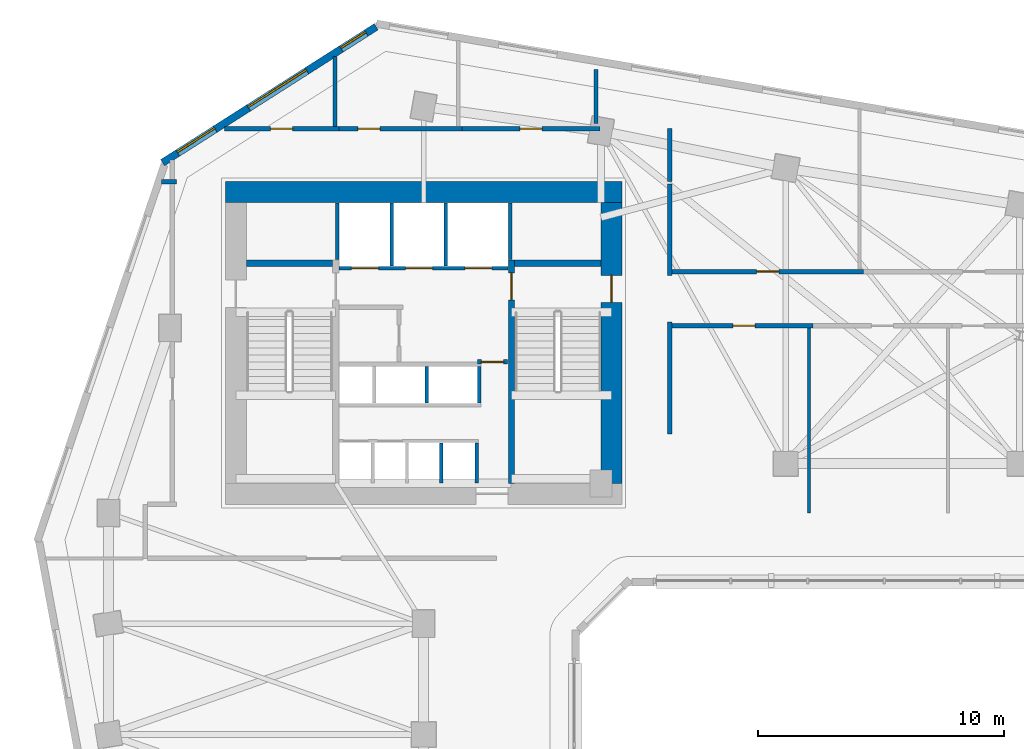
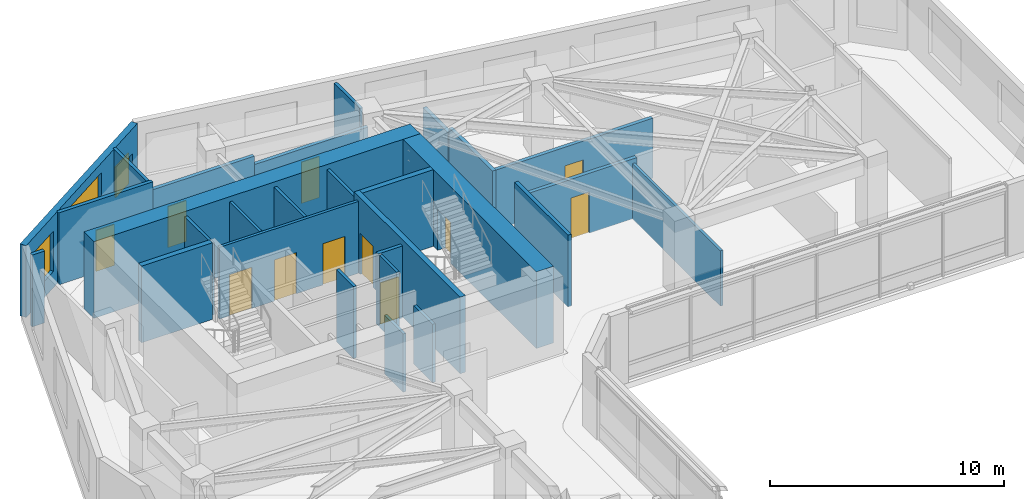
# One storey, part 6 of 9: 28 walls, 11 doors, 3 windows, 14 openings.
"""IFC4 building model written with IfcOpenShell, lengths in metres."""

from ifc_helpers import new_model, si_unit, direction, frame, frame_2d, origin, place, context, subcontext, project, spatial, rectangle, extrude, source, transform, mapped, material, layer, layer_set, type_object, element, fill, save


model = new_model("IFC4")

# Units and contexts
model_context = context("Model", 3, precision=1e-05, world=origin(), true_north=direction((0.0, 1.0)))
body_context = subcontext(model_context, "Body", "Model", "MODEL_VIEW")
ifc_project = project(units=[si_unit("LENGTHUNIT", "METRE"), si_unit("AREAUNIT", "SQUARE_METRE"), si_unit("VOLUMEUNIT", "CUBIC_METRE"), si_unit("PLANEANGLEUNIT", "RADIAN"), si_unit("MASSUNIT", "GRAM", prefix="KILO")], contexts=[model_context])

# Site, building, storey
site_placement = place(None, origin())
site = spatial("IfcSite", under=ifc_project, at=site_placement, CompositionType="ELEMENT")
building_placement = place(site_placement, origin())
building = spatial("IfcBuilding", under=site, at=building_placement, Name="Calvemar Wedge Station Tower", CompositionType="ELEMENT")
storey_placement = place(building_placement, frame((0.0, 0.0, 63.0)))
storey = spatial("IfcBuildingStorey", under=building, at=storey_placement, Name="L15", CompositionType="ELEMENT", Elevation=63.0)

# Wall, opening, door
ifc_material_1 = material(Name="Concrete C50", Category="concrete")
ifc_layer_1 = layer(ifc_material_1, 0.260009765625)
ifc_layer_set_1 = layer_set([ifc_layer_1], Name="Concrete C50")
wall_type_1 = type_object("IfcWallType", Name="SW-CORE-260", PredefinedType="SHEAR", material=ifc_layer_set_1)
wall_1_placement = place(storey_placement, frame((27.3701171875, 34.199951171875, 0.0), z_axis=(0.0, 0.0, 1.0), x_axis=(0.0, 1.0, 0.0)))
wall_1 = element("IfcWall", 1, at=wall_1_placement, inside=storey, type_object=wall_type_1, Name="Storey L15 Core Shear Wall SPINE-E", PredefinedType="SHEAR", context=body_context, shape_type="SweptSolid", body=[
    extrude(rectangle(XDim=9.06005859375, YDim=0.260009765625, at=frame_2d((4.530029296875, 0.0))), origin(), (0.0, 0.0, 1.0), 4.0),
])
shared_shape_1 = source(origin(), body_context, "Body", "SweptSolid", [
    extrude(rectangle(XDim=1.10009765625, YDim=2.14990234375, at=frame_2d((0.550048828125, 1.074951171875))), frame((0.0, 0.14013671875, 0.0), z_axis=(0.0, -1.0, 0.0), x_axis=(1.0, 0.0, 0.0)), (0.0, 0.0, 1.0), 0.280029296875),
])
opening_1_placement = place(wall_1_placement, frame((7.449951171875, 0.0, 0.0)))
opening_1 = element("IfcOpeningElement", 2, at=opening_1_placement, cuts=wall_1, Name="Opening FD-90", PredefinedType="OPENING", context=body_context, shape_type="MappedRepresentation", body=[
    mapped(shared_shape_1, transform((0.0, 0.0, 0.0), scale=1.0)),
])
ifc_material_2 = material(Name="Galvanized fire-rated steel door leaf P-90", Category="steel")
door_type_1 = type_object("IfcDoorType", Name="DR-FD90-1100", OperationType="NOTDEFINED", PredefinedType="DOOR", material=ifc_material_2)
shared_shape_2 = source(origin(), body_context, "Body", "SweptSolid", [
    extrude(rectangle(XDim=1.10009765625, YDim=2.14990234375, at=frame_2d((0.550048828125, 1.074951171875))), frame((0.0, 0.02490234375, 0.0), z_axis=(0.0, -1.0, 0.0), x_axis=(1.0, 0.0, 0.0)), (0.0, 0.0, 1.0), 0.050048828125),
])
door_1_placement = place(opening_1_placement, origin())
door_1 = element("IfcDoor", 3, at=door_1_placement, inside=storey, type_object=door_type_1, Name="L15 FF Lobby to Stair ST-C2 Door", OperationType="SINGLE_SWING_LEFT", OverallHeight=2.14990234375, OverallWidth=1.10009765625, PredefinedType="DOOR", context=body_context, shape_type="MappedRepresentation", body=[
    mapped(shared_shape_2, transform((0.0, 0.0, 0.0), scale=1.0)),
])
fill(opening_1, door_1)

# Walls
for number, where, z_axis, x_axis, name in (
    (4, (16.60009765625, 43.1298828125, 0.0), (0.0, 0.0, 1.0), (1.0, 0.0, 0.0), "Storey L15 Core Shear Wall STC1-N"),
    (5, (27.5, 43.1298828125, 0.0), (0.0, 0.0, 1.0), (1.0, 0.0, 0.0), "Storey L15 Core Shear Wall STC2-N"),
):
    element("IfcWall", number, at=place(storey_placement, frame(where, z_axis=z_axis, x_axis=x_axis)), inside=storey, type_object=wall_type_1, Name=name, PredefinedType="SHEAR", context=body_context, shape_type="SweptSolid", body=[
        extrude(rectangle(XDim=3.5, YDim=0.260009765625, at=frame_2d((1.75, 0.0))), origin(), (0.0, 0.0, 1.0), 4.0),
    ])
ifc_material_3 = material(Name="Concrete C80", Category="concrete")
ifc_layer_2 = layer(ifc_material_3, 0.85009765625)
ifc_layer_set_2 = layer_set([ifc_layer_2], Name="Concrete C80")
wall_type_2 = type_object("IfcWallType", Name="SW-CORE-850", PredefinedType="SHEAR", material=ifc_layer_set_2)
wall_2_placement = place(storey_placement, frame((15.75, 46.02490234375, 0.0), z_axis=(0.0, 0.0, 1.0), x_axis=(1.0, 0.0, 0.0)))
element("IfcWall", 6, at=wall_2_placement, inside=storey, type_object=wall_type_2, Name="Storey L15 Core Shear Wall N", PredefinedType="SHEAR", context=body_context, shape_type="SweptSolid", body=[
    extrude(rectangle(XDim=16.10009765625, YDim=0.85009765625, at=frame_2d((8.050048828125, 0.0))), origin(), (0.0, 0.0, 1.0), 4.0),
])

# Wall, opening, door
wall_3_placement = place(storey_placement, frame((31.425048828125, 34.199951171875, 0.0), z_axis=(0.0, 0.0, 1.0), x_axis=(0.0, 1.0, 0.0)))
wall_3 = element("IfcWall", 7, at=wall_3_placement, inside=storey, type_object=wall_type_2, Name="Storey L15 Core Shear Wall E", PredefinedType="SHEAR", context=body_context, shape_type="SweptSolid", body=[
    extrude(rectangle(XDim=11.400146484375, YDim=0.85009765625, at=frame_2d((5.7001953125, 0.0))), origin(), (0.0, 0.0, 1.0), 4.0),
])
shared_shape_3 = source(origin(), body_context, "Body", "SweptSolid", [
    extrude(rectangle(XDim=1.10009765625, YDim=2.14990234375, at=frame_2d((0.550048828125, 1.074951171875))), frame((0.0, 0.43505859375, 0.0), z_axis=(0.0, -1.0, 0.0), x_axis=(1.0, 0.0, 0.0)), (0.0, 0.0, 1.0), 0.8701171875),
])
opening_2_placement = place(wall_3_placement, frame((7.35009765625, 0.0, 0.0)))
opening_2 = element("IfcOpeningElement", 8, at=opening_2_placement, cuts=wall_3, Name="Opening FD-90", PredefinedType="OPENING", context=body_context, shape_type="MappedRepresentation", body=[
    mapped(shared_shape_3, transform((0.0, 0.0, 0.0), scale=1.0)),
])
door_2_placement = place(opening_2_placement, origin())
door_2 = element("IfcDoor", 9, at=door_2_placement, inside=storey, type_object=door_type_1, Name="L15 East Corridor to Exit Stair ST-C2 Door", OperationType="SINGLE_SWING_LEFT", OverallHeight=2.14990234375, OverallWidth=1.10009765625, PredefinedType="DOOR", context=body_context, shape_type="MappedRepresentation", body=[
    mapped(shared_shape_2, transform((0.0, 0.0, 0.0), scale=1.0)),
])
fill(opening_2, door_2)

ifc_material_4 = material(Name="Double-stud fire-rated corridor partition")
ifc_layer_3 = layer(ifc_material_4, 0.179931640625)
ifc_layer_set_3 = layer_set([ifc_layer_3], Name="Double-stud fire-rated corridor partition")
wall_type_3 = type_object("IfcWallType", Name="W-CORR-180", PredefinedType="PARTITIONING", material=ifc_layer_set_3)
wall_4_placement = place(storey_placement, frame((27.199951171875, 39.1298828125, 0.0), z_axis=(0.0, 0.0, 1.0), x_axis=(-1.0, 0.0, 0.0)))
wall_4 = element("IfcWall", 10, at=wall_4_placement, inside=storey, type_object=wall_type_3, Name="Storey L15 Interior Partition WL-L15-003", PredefinedType="PARTITIONING", context=body_context, shape_type="SweptSolid", body=[
    extrude(rectangle(XDim=1.2099609375, YDim=0.179931640625, at=frame_2d((0.60498046875, 0.0))), origin(), (0.0, 0.0, 1.0), 3.75),
])
shared_shape_4 = source(origin(), body_context, "Body", "SweptSolid", [
    extrude(rectangle(XDim=0.89990234375, YDim=2.14990234375, at=frame_2d((0.449951171875, 1.074951171875))), frame((0.0, 0.10009765625, 0.0), z_axis=(0.0, -1.0, 0.0), x_axis=(1.0, 0.0, 0.0)), (0.0, 0.0, 1.0), 0.199951171875),
])
opening_3_placement = place(wall_4_placement, frame((0.155029296875, 0.0, 0.0)))
opening_3 = element("IfcOpeningElement", 11, at=opening_3_placement, cuts=wall_4, Name="Opening FD-60", PredefinedType="OPENING", context=body_context, shape_type="MappedRepresentation", body=[
    mapped(shared_shape_4, transform((0.0, 0.0, 0.0), scale=1.0)),
])
ifc_material_5 = material(Name="Fire-rated acoustic timber-core entrance door EI 60", Category="wood")
door_type_2 = type_object("IfcDoorType", Name="DR-FD60-900", OperationType="NOTDEFINED", PredefinedType="DOOR", material=ifc_material_5)
shared_shape_5 = source(origin(), body_context, "Body", "SweptSolid", [
    extrude(rectangle(XDim=0.89990234375, YDim=2.14990234375, at=frame_2d((0.449951171875, 1.074951171875))), frame((0.0, 0.02490234375, 0.0), z_axis=(0.0, -1.0, 0.0), x_axis=(1.0, 0.0, 0.0)), (0.0, 0.0, 1.0), 0.050048828125),
])
door_3_placement = place(opening_3_placement, origin())
door_3 = element("IfcDoor", 12, at=door_3_placement, inside=storey, type_object=door_type_2, Name="L15 Core Service Lobby Door", OperationType="SINGLE_SWING_LEFT", OverallHeight=2.14990234375, OverallWidth=0.89990234375, PredefinedType="DOOR", context=body_context, shape_type="MappedRepresentation", body=[
    mapped(shared_shape_5, transform((0.0, 0.0, 0.0), scale=1.0)),
])
fill(opening_3, door_3)

# Wall
wall_5_placement = place(storey_placement, frame((13.760009765625, 46.449951171875, 0.0), z_axis=(0.0, 0.0, 1.0), x_axis=(-1.0, 0.0, 0.0)))
element("IfcWall", 13, at=wall_5_placement, inside=storey, type_object=wall_type_3, Name="Storey L15 Interior Partition WL-L15-008", PredefinedType="PARTITIONING", context=body_context, shape_type="SweptSolid", body=[
    extrude(rectangle(XDim=0.60107421875, YDim=0.179931640625, at=frame_2d((0.300537109375, 0.0))), origin(), (0.0, 0.0, 1.0), 3.75),
])

# Wall, opening, door
wall_6_placement = place(storey_placement, frame((15.709716796875, 48.60009765625, 0.0), z_axis=(0.0, 0.0, 1.0), x_axis=(1.0, 0.0, 0.0)))
wall_6 = element("IfcWall", 14, at=wall_6_placement, inside=storey, type_object=wall_type_3, Name="Storey L15 Interior Partition WL-L15-009", PredefinedType="PARTITIONING", context=body_context, shape_type="SweptSolid", body=[
    extrude(rectangle(XDim=4.650390625, YDim=0.179931640625, at=frame_2d((2.3251953125, 0.0))), origin(), (0.0, 0.0, 1.0), 3.75),
])
opening_4_placement = place(wall_6_placement, frame((1.875, 0.0, 0.0)))
opening_4 = element("IfcOpeningElement", 15, at=opening_4_placement, cuts=wall_6, Name="Opening D-01", PredefinedType="OPENING", context=body_context, shape_type="MappedRepresentation", body=[
    mapped(shared_shape_4, transform((0.0, 0.0, 0.0), scale=1.0)),
])
ifc_material_6 = material(Name="Architectural hardwood acoustic swing door", Category="wood")
door_type_3 = type_object("IfcDoorType", Name="DR-INT-900", OperationType="NOTDEFINED", PredefinedType="DOOR", material=ifc_material_6)
shared_shape_6 = source(origin(), body_context, "Body", "SweptSolid", [
    extrude(rectangle(XDim=0.89990234375, YDim=2.14990234375, at=frame_2d((0.449951171875, 1.074951171875))), frame((0.0, 0.02490234375, 0.0), z_axis=(0.0, -1.0, 0.0), x_axis=(1.0, 0.0, 0.0)), (0.0, 0.0, 1.0), 0.050048828125),
])
door_4_placement = place(opening_4_placement, origin())
door_4 = element("IfcDoor", 16, at=door_4_placement, inside=storey, type_object=door_type_3, Name="L15 Male Toilet Door", OperationType="SINGLE_SWING_LEFT", OverallHeight=2.14990234375, OverallWidth=0.89990234375, PredefinedType="DOOR", context=body_context, shape_type="MappedRepresentation", body=[
    mapped(shared_shape_6, transform((0.0, 0.0, 0.0), scale=1.0)),
])
fill(opening_4, door_4)

wall_7_placement = place(storey_placement, frame((20.362060546875, 48.60009765625, 0.0), z_axis=(0.0, 0.0, 1.0), x_axis=(1.0, 0.0, 0.0)))
wall_7 = element("IfcWall", 17, at=wall_7_placement, inside=storey, type_object=wall_type_3, Name="Storey L15 Interior Partition WL-L15-010", PredefinedType="PARTITIONING", context=body_context, shape_type="SweptSolid", body=[
    extrude(rectangle(XDim=4.998046875, YDim=0.179931640625, at=frame_2d((2.4990234375, 0.0))), origin(), (0.0, 0.0, 1.0), 3.3349609375),
])
opening_5_placement = place(wall_7_placement, frame((0.76806640625, 0.0, 0.0)))
opening_5 = element("IfcOpeningElement", 18, at=opening_5_placement, cuts=wall_7, Name="Opening D-01", PredefinedType="OPENING", context=body_context, shape_type="MappedRepresentation", body=[
    mapped(shared_shape_4, transform((0.0, 0.0, 0.0), scale=1.0)),
])
door_5_placement = place(opening_5_placement, origin())
door_5 = element("IfcDoor", 19, at=door_5_placement, inside=storey, type_object=door_type_3, Name="L15 Co-Working Studio Door", OperationType="SINGLE_SWING_RIGHT", OverallHeight=2.14990234375, OverallWidth=0.89990234375, PredefinedType="DOOR", context=body_context, shape_type="MappedRepresentation", body=[
    mapped(shared_shape_6, transform((0.0, 0.0, 0.0), scale=1.0)),
])
fill(opening_5, door_5)

wall_8_placement = place(storey_placement, frame((25.362060546875, 48.60009765625, 0.0), z_axis=(0.0, 0.0, 1.0), x_axis=(1.0, 0.0, 0.0)))
wall_8 = element("IfcWall", 20, at=wall_8_placement, inside=storey, type_object=wall_type_3, Name="Storey L15 Interior Partition WL-L15-011", PredefinedType="PARTITIONING", context=body_context, shape_type="SweptSolid", body=[
    extrude(rectangle(XDim=5.597900390625, YDim=0.179931640625, at=frame_2d((2.798828125, 0.0))), origin(), (0.0, 0.0, 1.0), 2.89208984375),
])
opening_6_placement = place(wall_8_placement, frame((2.34912109375, 0.0, 0.0)))
opening_6 = element("IfcOpeningElement", 21, at=opening_6_placement, cuts=wall_8, Name="Opening D-01", PredefinedType="OPENING", context=body_context, shape_type="MappedRepresentation", body=[
    mapped(shared_shape_4, transform((0.0, 0.0, 0.0), scale=1.0)),
])
door_6_placement = place(opening_6_placement, origin())
door_6 = element("IfcDoor", 22, at=door_6_placement, inside=storey, type_object=door_type_3, Name="L15 Female Toilet Door", OperationType="SINGLE_SWING_LEFT", OverallHeight=2.14990234375, OverallWidth=0.89990234375, PredefinedType="DOOR", context=body_context, shape_type="MappedRepresentation", body=[
    mapped(shared_shape_6, transform((0.0, 0.0, 0.0), scale=1.0)),
])
fill(opening_6, door_6)

# Walls
wall_9_placement = place(storey_placement, frame((33.800048828125, 48.60009765625, 0.0), z_axis=(0.0, 0.0, 1.0), x_axis=(0.0, -1.0, 0.0)))
element("IfcWall", 23, at=wall_9_placement, inside=storey, type_object=wall_type_3, Name="Storey L15 Interior Partition WL-L15-012", PredefinedType="PARTITIONING", context=body_context, shape_type="SweptSolid", body=[
    extrude(rectangle(XDim=2.150146484375, YDim=0.179931640625, at=frame_2d((1.0751953125, 0.0))), origin(), (0.0, 0.0, 1.0), 2.89208984375),
])
wall_10_placement = place(storey_placement, frame((33.800048828125, 40.760009765625, 0.0), z_axis=(0.0, 0.0, 1.0), x_axis=(0.0, -1.0, 0.0)))
element("IfcWall", 24, at=wall_10_placement, inside=storey, type_object=wall_type_3, Name="Storey L15 Interior Partition WL-L15-013", PredefinedType="PARTITIONING", context=body_context, shape_type="SweptSolid", body=[
    extrude(rectangle(XDim=4.56005859375, YDim=0.179931640625, at=frame_2d((2.280029296875, 0.0))), origin(), (0.0, 0.0, 1.0), 3.75),
])
wall_11_placement = place(storey_placement, frame((33.800048828125, 46.35595703125, 0.0), z_axis=(0.0, 0.0, 1.0), x_axis=(0.0, -1.0, 0.0)))
element("IfcWall", 25, at=wall_11_placement, inside=storey, type_object=wall_type_3, Name="Storey L15 Interior Partition WL-L15-014", PredefinedType="PARTITIONING", context=body_context, shape_type="SweptSolid", body=[
    extrude(rectangle(XDim=3.716064453125, YDim=0.179931640625, at=frame_2d((1.85791015625, 0.0))), origin(), (0.0, 0.0, 1.0), 3.18798828125),
])

# Wall, opening, door
wall_12_placement = place(storey_placement, frame((39.60498046875, 40.60009765625, 0.0), z_axis=(0.0, 0.0, 1.0), x_axis=(-1.0, 0.0, 0.0)))
wall_12 = element("IfcWall", 26, at=wall_12_placement, inside=storey, type_object=wall_type_3, Name="Storey L15 Interior Partition WL-L15-018", PredefinedType="PARTITIONING", context=body_context, shape_type="SweptSolid", body=[
    extrude(rectangle(XDim=5.7109375, YDim=0.179931640625, at=frame_2d((2.85546875, 0.0))), origin(), (0.0, 0.0, 1.0), 3.125),
])
opening_7_placement = place(wall_12_placement, frame((2.3447265625, 0.0, 0.0)))
opening_7 = element("IfcOpeningElement", 27, at=opening_7_placement, cuts=wall_12, Name="Opening D-01", PredefinedType="OPENING", context=body_context, shape_type="MappedRepresentation", body=[
    mapped(shared_shape_4, transform((0.0, 0.0, 0.0), scale=1.0)),
])
door_7_placement = place(opening_7_placement, origin())
door_7 = element("IfcDoor", 28, at=door_7_placement, inside=storey, type_object=door_type_3, Name="L15 Co-Working Studio Door", OperationType="SINGLE_SWING_RIGHT", OverallHeight=2.14990234375, OverallWidth=0.89990234375, PredefinedType="DOOR", context=body_context, shape_type="MappedRepresentation", body=[
    mapped(shared_shape_6, transform((0.0, 0.0, 0.0), scale=1.0)),
])
fill(opening_7, door_7)

wall_13_placement = place(storey_placement, frame((33.89404296875, 42.800048828125, 0.0), z_axis=(0.0, 0.0, 1.0), x_axis=(1.0, 0.0, 0.0)))
wall_13 = element("IfcWall", 29, at=wall_13_placement, inside=storey, type_object=wall_type_3, Name="Storey L15 Interior Partition WL-L15-021", PredefinedType="PARTITIONING", context=body_context, shape_type="SweptSolid", body=[
    extrude(rectangle(XDim=7.765869140625, YDim=0.179931640625, at=frame_2d((3.8828125, 0.0))), origin(), (0.0, 0.0, 1.0), 3.125),
])
opening_8_placement = place(wall_13_placement, frame((3.43310546875, 0.0, 0.0)))
opening_8 = element("IfcOpeningElement", 30, at=opening_8_placement, cuts=wall_13, Name="Opening D-01", PredefinedType="OPENING", context=body_context, shape_type="MappedRepresentation", body=[
    mapped(shared_shape_4, transform((0.0, 0.0, 0.0), scale=1.0)),
])
door_8_placement = place(opening_8_placement, origin())
door_8 = element("IfcDoor", 31, at=door_8_placement, inside=storey, type_object=door_type_3, Name="L15 Meeting Room Door", OperationType="SINGLE_SWING_LEFT", OverallHeight=2.14990234375, OverallWidth=0.89990234375, PredefinedType="DOOR", context=body_context, shape_type="MappedRepresentation", body=[
    mapped(shared_shape_6, transform((0.0, 0.0, 0.0), scale=1.0)),
])
fill(opening_8, door_8)

# Wall, openings, windows
ifc_material_7 = material(Name="Precast concrete C45", Category="concrete")
ifc_layer_4 = layer(ifc_material_7, 0.300048828125)
ifc_layer_set_4 = layer_set([ifc_layer_4], Name="Precast concrete C45")
wall_type_4 = type_object("IfcWallType", Name="W-EXT-GFRC-300", PredefinedType="SOLIDWALL", material=ifc_layer_set_4)
wall_14_placement = place(storey_placement, frame((21.874755859375, 52.742431640625, 0.0), z_axis=(0.0, 0.0, 1.0), x_axis=(-0.843662465249, -0.536873956092, 0.0)))
wall_14 = element("IfcWall", 32, at=wall_14_placement, inside=storey, type_object=wall_type_4, Name="Storey L15 Bronze GFRC Exterior Wall 11", PredefinedType="SOLIDWALL", context=body_context, shape_type="SweptSolid", body=[
    extrude(rectangle(XDim=10.283935546875, YDim=0.300048828125, at=frame_2d((5.14208984375, 0.0))), origin(), (0.0, 0.0, 1.0), 3.75),
])
shared_shape_7 = source(origin(), body_context, "Body", "SweptSolid", [
    extrude(rectangle(XDim=1.199951171875, YDim=1.60009765625, at=frame_2d((0.60009765625, 0.800048828125))), frame((0.0, 0.16015625, 0.0), z_axis=(0.0, -1.0, 0.0), x_axis=(1.0, 0.0, 0.0)), (0.0, 0.0, 1.0), 0.320068359375),
])
opening_9_placement = place(wall_14_placement, frame((0.47900390625, 0.0, 0.85009765625)))
opening_9 = element("IfcOpeningElement", 33, at=opening_9_placement, cuts=wall_14, Name="Opening W5", PredefinedType="OPENING", context=body_context, shape_type="MappedRepresentation", body=[
    mapped(shared_shape_7, transform((0.0, 0.0, 0.0), scale=1.0)),
])
shared_shape_8 = source(origin(), body_context, "Body", "SweptSolid", [
    extrude(rectangle(XDim=2.800048828125, YDim=2.39990234375, at=frame_2d((1.39990234375, 1.199951171875))), frame((0.0, 0.16015625, 0.0), z_axis=(0.0, -1.0, 0.0), x_axis=(1.0, 0.0, 0.0)), (0.0, 0.0, 1.0), 0.320068359375),
])
opening_10_placement = place(wall_14_placement, frame((3.342041015625, 0.0, 0.85009765625)))
opening_10 = element("IfcOpeningElement", 34, at=opening_10_placement, cuts=wall_14, Name="Opening W6", PredefinedType="OPENING", context=body_context, shape_type="MappedRepresentation", body=[
    mapped(shared_shape_8, transform((0.0, 0.0, 0.0), scale=1.0)),
])
shared_shape_9 = source(origin(), body_context, "Body", "SweptSolid", [
    extrude(rectangle(XDim=1.800048828125, YDim=2.10009765625, at=frame_2d((0.89990234375, 1.050048828125))), frame((0.0, 0.16015625, 0.0), z_axis=(0.0, -1.0, 0.0), x_axis=(1.0, 0.0, 0.0)), (0.0, 0.0, 1.0), 0.320068359375),
])
opening_11_placement = place(wall_14_placement, frame((7.7529296875, 0.0, 0.85009765625)))
opening_11 = element("IfcOpeningElement", 35, at=opening_11_placement, cuts=wall_14, Name="Opening W2", PredefinedType="OPENING", context=body_context, shape_type="MappedRepresentation", body=[
    mapped(shared_shape_9, transform((0.0, 0.0, 0.0), scale=1.0)),
])
ifc_material_8 = material(Name="Low-E laminated insulated glass", Category="glass")
window_type_1 = type_object("IfcWindowType", Name="WIN-EXT-2", PartitioningType="SINGLE_PANEL", PredefinedType="WINDOW", material=ifc_material_8)
shared_shape_10 = source(origin(), body_context, "Body", "SweptSolid", [
    extrude(rectangle(XDim=1.800048828125, YDim=2.10009765625, at=frame_2d((0.89990234375, 1.050048828125))), frame((0.0, -0.014892578125, 0.0), z_axis=(0.0, -1.0, 0.0), x_axis=(1.0, 0.0, 0.0)), (0.0, 0.0, 1.0), 0.06005859375),
])
window_1_placement = place(opening_11_placement, origin())
window_1 = element("IfcWindow", 36, at=window_1_placement, inside=storey, type_object=window_type_1, Name="Storey L15 Recessed Window 11.3", OverallHeight=2.10009765625, OverallWidth=1.800048828125, PartitioningType="SINGLE_PANEL", PredefinedType="WINDOW", context=body_context, shape_type="MappedRepresentation", body=[
    mapped(shared_shape_10, transform((0.0, 0.0, 0.0), scale=1.0)),
])
fill(opening_11, window_1)
window_type_2 = type_object("IfcWindowType", Name="WIN-EXT-6", PartitioningType="SINGLE_PANEL", PredefinedType="WINDOW", material=ifc_material_8)
shared_shape_11 = source(origin(), body_context, "Body", "SweptSolid", [
    extrude(rectangle(XDim=2.800048828125, YDim=2.39990234375, at=frame_2d((1.39990234375, 1.199951171875))), frame((0.0, -0.014892578125, 0.0), z_axis=(0.0, -1.0, 0.0), x_axis=(1.0, 0.0, 0.0)), (0.0, 0.0, 1.0), 0.06005859375),
])
window_2_placement = place(opening_10_placement, origin())
window_2 = element("IfcWindow", 37, at=window_2_placement, inside=storey, type_object=window_type_2, Name="Storey L15 Recessed Window 11.2", OverallHeight=2.39990234375, OverallWidth=2.800048828125, PartitioningType="SINGLE_PANEL", PredefinedType="WINDOW", context=body_context, shape_type="MappedRepresentation", body=[
    mapped(shared_shape_11, transform((0.0, 0.0, 0.0), scale=1.0)),
])
fill(opening_10, window_2)
window_type_3 = type_object("IfcWindowType", Name="WIN-EXT-5", PartitioningType="SINGLE_PANEL", PredefinedType="WINDOW", material=ifc_material_8)
shared_shape_12 = source(origin(), body_context, "Body", "SweptSolid", [
    extrude(rectangle(XDim=1.199951171875, YDim=1.60009765625, at=frame_2d((0.60009765625, 0.800048828125))), frame((0.0, -0.014892578125, 0.0), z_axis=(0.0, -1.0, 0.0), x_axis=(1.0, 0.0, 0.0)), (0.0, 0.0, 1.0), 0.06005859375),
])
window_3_placement = place(opening_9_placement, origin())
window_3 = element("IfcWindow", 38, at=window_3_placement, inside=storey, type_object=window_type_3, Name="Storey L15 Recessed Window 11.1", OverallHeight=1.60009765625, OverallWidth=1.199951171875, PartitioningType="SINGLE_PANEL", PredefinedType="WINDOW", context=body_context, shape_type="MappedRepresentation", body=[
    mapped(shared_shape_12, transform((0.0, 0.0, 0.0), scale=1.0)),
])
fill(opening_9, window_3)

# Wall, openings, doors
ifc_material_9 = material(Name="Reinforced concrete blockwork lift shaft wall", Category="masonry")
ifc_layer_5 = layer(ifc_material_9, 0.139892578125)
ifc_layer_set_5 = layer_set([ifc_layer_5], Name="Reinforced concrete blockwork lift shaft wall")
wall_type_5 = type_object("IfcWallType", Name="W-LIFT-160", PredefinedType="SOLIDWALL", material=ifc_layer_set_5)
wall_15_placement = place(storey_placement, frame((20.3701171875, 42.929931640625, 0.0), z_axis=(0.0, 0.0, 1.0), x_axis=(1.0, 0.0, 0.0)))
wall_15 = element("IfcWall", 39, at=wall_15_placement, inside=storey, type_object=wall_type_5, Name="Storey L15 Firefighting and Service Lift Shaft Front Wall", PredefinedType="SOLIDWALL", context=body_context, shape_type="SweptSolid", body=[
    extrude(rectangle(XDim=6.85986328125, YDim=0.139892578125, at=frame_2d((3.429931640625, 0.0))), origin(), (0.0, 0.0, 1.0), 3.75),
])
shared_shape_13 = source(origin(), body_context, "Body", "SweptSolid", [
    extrude(rectangle(XDim=1.10009765625, YDim=2.14990234375, at=frame_2d((0.550048828125, 1.074951171875))), frame((0.0, 0.080078125, 0.0), z_axis=(0.0, -1.0, 0.0), x_axis=(1.0, 0.0, 0.0)), (0.0, 0.0, 1.0), 0.159912109375),
])
opening_12_placement = place(wall_15_placement, frame((0.5, 0.0, 0.0)))
opening_12 = element("IfcOpeningElement", 40, at=opening_12_placement, cuts=wall_15, Name="Opening LD-FF", PredefinedType="OPENING", context=body_context, shape_type="MappedRepresentation", body=[
    mapped(shared_shape_13, transform((0.0, 0.0, 0.0), scale=1.0)),
])
opening_13_placement = place(wall_15_placement, frame((2.699951171875, 0.0, 0.0)))
opening_13 = element("IfcOpeningElement", 41, at=opening_13_placement, cuts=wall_15, Name="Opening LD-FF", PredefinedType="OPENING", context=body_context, shape_type="MappedRepresentation", body=[
    mapped(shared_shape_13, transform((0.0, 0.0, 0.0), scale=1.0)),
])
opening_14_placement = place(wall_15_placement, frame((5.10009765625, 0.0, 0.0)))
opening_14 = element("IfcOpeningElement", 42, at=opening_14_placement, cuts=wall_15, Name="Opening LD-STN", PredefinedType="OPENING", context=body_context, shape_type="MappedRepresentation", body=[
    mapped(shared_shape_13, transform((0.0, 0.0, 0.0), scale=1.0)),
])
ifc_material_10 = material(Name="Stainless steel firefighting lift sliding landing door", Category="steel")
door_type_4 = type_object("IfcDoorType", Name="DR-LD-FF-1100", OperationType="SLIDING_TO_LEFT", PredefinedType="DOOR", material=ifc_material_10)
shared_shape_14 = source(origin(), body_context, "Body", "SweptSolid", [
    extrude(rectangle(XDim=1.10009765625, YDim=2.14990234375, at=frame_2d((0.550048828125, 1.074951171875))), frame((0.0, 0.02490234375, 0.0), z_axis=(0.0, -1.0, 0.0), x_axis=(1.0, 0.0, 0.0)), (0.0, 0.0, 1.0), 0.050048828125),
])
door_9_placement = place(opening_12_placement, origin())
door_9 = element("IfcDoor", 43, at=door_9_placement, inside=storey, type_object=door_type_4, Name="L15 Lift FF-01 Sliding Landing Door", OperationType="SLIDING_TO_LEFT", OverallHeight=2.14990234375, OverallWidth=1.10009765625, PredefinedType="DOOR", context=body_context, shape_type="MappedRepresentation", body=[
    mapped(shared_shape_14, transform((0.0, 0.0, 0.0), scale=1.0)),
])
fill(opening_12, door_9)
door_10_placement = place(opening_13_placement, origin())
door_10 = element("IfcDoor", 44, at=door_10_placement, inside=storey, type_object=door_type_4, Name="L15 Lift FF-02 Sliding Landing Door", OperationType="SLIDING_TO_RIGHT", OverallHeight=2.14990234375, OverallWidth=1.10009765625, PredefinedType="DOOR", context=body_context, shape_type="MappedRepresentation", body=[
    mapped(shared_shape_14, transform((0.0, 0.0, 0.0), scale=1.0)),
])
fill(opening_13, door_10)
ifc_material_11 = material(Name="Stainless steel transit lift sliding landing door", Category="steel")
door_type_5 = type_object("IfcDoorType", Name="DR-LD-PAX-1100", OperationType="SLIDING_TO_LEFT", PredefinedType="DOOR", material=ifc_material_11)
shared_shape_15 = source(origin(), body_context, "Body", "SweptSolid", [
    extrude(rectangle(XDim=1.10009765625, YDim=2.14990234375, at=frame_2d((0.550048828125, 1.074951171875))), frame((0.0, 0.02490234375, 0.0), z_axis=(0.0, -1.0, 0.0), x_axis=(1.0, 0.0, 0.0)), (0.0, 0.0, 1.0), 0.050048828125),
])
door_11_placement = place(opening_14_placement, origin())
door_11 = element("IfcDoor", 45, at=door_11_placement, inside=storey, type_object=door_type_5, Name="L15 Lift SV-01 Sliding Landing Door", OperationType="SLIDING_TO_LEFT", OverallHeight=2.14990234375, OverallWidth=1.10009765625, PredefinedType="DOOR", context=body_context, shape_type="MappedRepresentation", body=[
    mapped(shared_shape_15, transform((0.0, 0.0, 0.0), scale=1.0)),
])
fill(opening_14, door_11)

# Walls
for number, where, z_axis, x_axis, name in (
    (46, (20.2900390625, 43.280029296875, 0.0), (0.0, 0.0, 1.0), (0.0, 1.0, 0.0), "Storey L15 Firefighting Lift Shaft Enclosure Wall W"),
    (47, (27.31005859375, 43.280029296875, 0.0), (0.0, 0.0, 1.0), (0.0, 1.0, 0.0), "Storey L15 Firefighting Lift Shaft Enclosure Wall E"),
):
    element("IfcWall", number, at=place(storey_placement, frame(where, z_axis=z_axis, x_axis=x_axis)), inside=storey, type_object=wall_type_5, Name=name, PredefinedType="SOLIDWALL", context=body_context, shape_type="SweptSolid", body=[
        extrude(rectangle(XDim=2.300048828125, YDim=0.139892578125, at=frame_2d((1.14990234375, 0.0))), origin(), (0.0, 0.0, 1.0), 3.75),
    ])
for number, where, z_axis, x_axis, name in (
    (48, (22.5, 43.02001953125, 0.0), (0.0, 0.0, 1.0), (0.0, 1.0, 0.0), "Storey L15 Firefighting Lift Shaft Enclosure Wall D1"),
    (49, (24.699951171875, 43.02001953125, 0.0), (0.0, 0.0, 1.0), (0.0, 1.0, 0.0), "Storey L15 Firefighting Lift Shaft Enclosure Wall D2"),
):
    element("IfcWall", number, at=place(storey_placement, frame(where, z_axis=z_axis, x_axis=x_axis)), inside=storey, type_object=wall_type_5, Name=name, PredefinedType="SOLIDWALL", context=body_context, shape_type="SweptSolid", body=[
        extrude(rectangle(XDim=2.56005859375, YDim=0.139892578125, at=frame_2d((1.280029296875, 0.0))), origin(), (0.0, 0.0, 1.0), 3.75),
    ])
for number, where, z_axis, x_axis, name in (
    (50, (25.9599609375, 34.219970703125, 0.0), (0.0, 0.0, 1.0), (0.0, 1.0, 0.0), "Storey L15 South Passenger Lift Shaft Wall E"),
    (51, (24.514892578125, 34.219970703125, 0.0), (0.0, 0.0, 1.0), (0.0, 1.0, 0.0), "Storey L15 South Passenger Lift Shaft Wall D3"),
):
    element("IfcWall", number, at=place(storey_placement, frame(where, z_axis=z_axis, x_axis=x_axis)), inside=storey, type_object=wall_type_5, Name=name, PredefinedType="SOLIDWALL", context=body_context, shape_type="SweptSolid", body=[
        extrude(rectangle(XDim=1.6201171875, YDim=0.139892578125, at=frame_2d((0.81005859375, 0.0))), origin(), (0.0, 0.0, 1.0), 3.0419921875),
    ])
for number, where, z_axis, x_axis, name in (
    (52, (26.06005859375, 37.4599609375, 0.0), (0.0, 0.0, 1.0), (0.0, 1.0, 0.0), "Storey L15 Upper Passenger Lift Shaft Wall E"),
    (53, (23.93505859375, 37.4599609375, 0.0), (0.0, 0.0, 1.0), (0.0, 1.0, 0.0), "Storey L15 Upper Passenger Lift Shaft Wall D2"),
):
    element("IfcWall", number, at=place(storey_placement, frame(where, z_axis=z_axis, x_axis=x_axis)), inside=storey, type_object=wall_type_5, Name=name, PredefinedType="SOLIDWALL", context=body_context, shape_type="SweptSolid", body=[
        extrude(rectangle(XDim=1.47998046875, YDim=0.139892578125, at=frame_2d((0.739990234375, 0.0))), origin(), (0.0, 0.0, 1.0), 3.75),
    ])
ifc_material_12 = material(Name="Insulated acoustic gypsum stud partition")
ifc_layer_6 = layer(ifc_material_12, 0.125)
ifc_layer_set_6 = layer_set([ifc_layer_6], Name="Insulated acoustic gypsum stud partition")
wall_type_6 = type_object("IfcWallType", Name="W-PART-125", PredefinedType="PARTITIONING", material=ifc_layer_set_6)
wall_16_placement = place(storey_placement, frame((39.445068359375, 40.506103515625, 0.0), z_axis=(0.0, 0.0, 1.0), x_axis=(0.0, -1.0, 0.0)))
element("IfcWall", 54, at=wall_16_placement, inside=storey, type_object=wall_type_6, Name="Storey L15 Interior Partition WL-L15-024", PredefinedType="PARTITIONING", context=body_context, shape_type="SweptSolid", body=[
    extrude(rectangle(XDim=7.506103515625, YDim=0.125, at=frame_2d((3.7529296875, 0.0))), origin(), (0.0, 0.0, 1.0), 2.89208984375),
])
ifc_material_13 = material(Name="Moisture-resistant acoustic bathroom partition")
ifc_layer_7 = layer(ifc_material_13, 0.14990234375)
ifc_layer_set_7 = layer_set([ifc_layer_7], Name="Moisture-resistant acoustic bathroom partition")
wall_type_7 = type_object("IfcWallType", Name="W-WET-150", PredefinedType="PARTITIONING", material=ifc_layer_set_7)
wall_17_placement = place(storey_placement, frame((20.199951171875, 51.540283203125, 0.0), z_axis=(0.0, 0.0, 1.0), x_axis=(0.0, -1.0, 0.0)))
element("IfcWall", 55, at=wall_17_placement, inside=storey, type_object=wall_type_7, Name="Storey L15 Interior Partition WL-L15-016", PredefinedType="PARTITIONING", context=body_context, shape_type="SweptSolid", body=[
    extrude(rectangle(XDim=2.84619140625, YDim=0.14990234375, at=frame_2d((1.423095703125, 0.0))), origin(), (0.0, 0.0, 1.0), 3.75),
])
wall_18_placement = place(storey_placement, frame((30.800048828125, 51.0126953125, 0.0), z_axis=(0.0, 0.0, 1.0), x_axis=(0.0, -1.0, 0.0)))
element("IfcWall", 56, at=wall_18_placement, inside=storey, type_object=wall_type_7, Name="Storey L15 Bathroom Enclosure Wall WL-L15-032", PredefinedType="PARTITIONING", context=body_context, shape_type="SweptSolid", body=[
    extrude(rectangle(XDim=2.192626953125, YDim=0.14990234375, at=frame_2d((1.09619140625, 0.0))), origin(), (0.0, 0.0, 1.0), 3.75),
])

save(model, "model.ifc")
